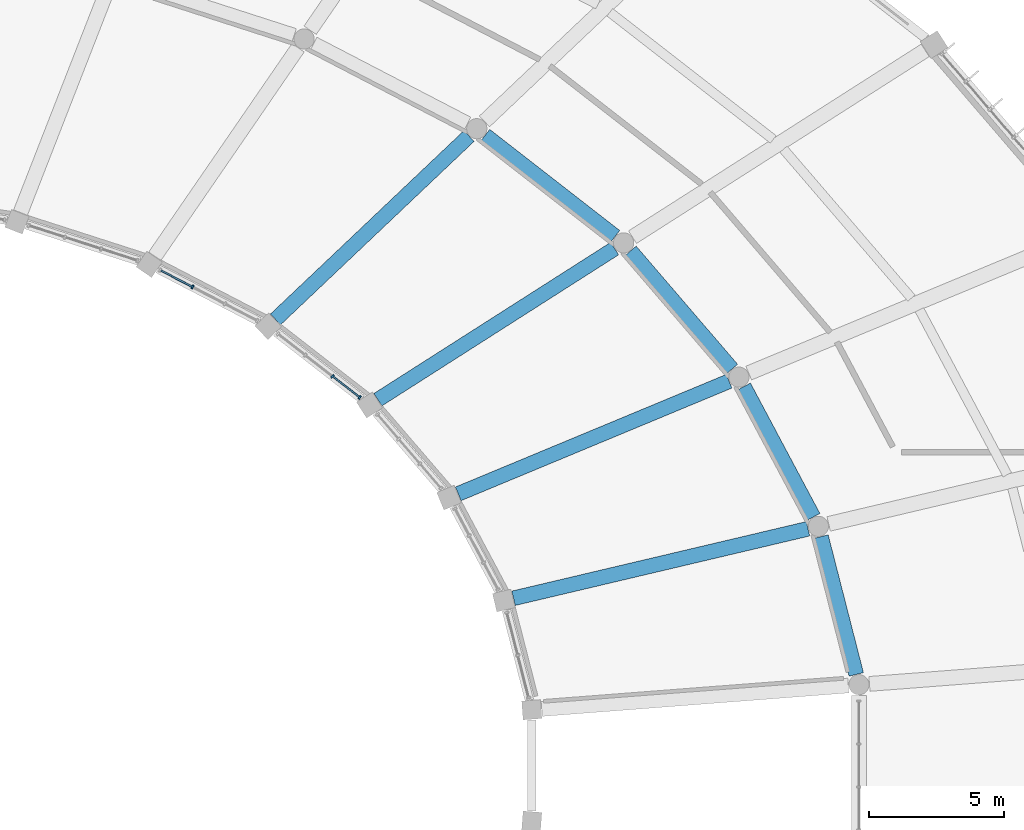
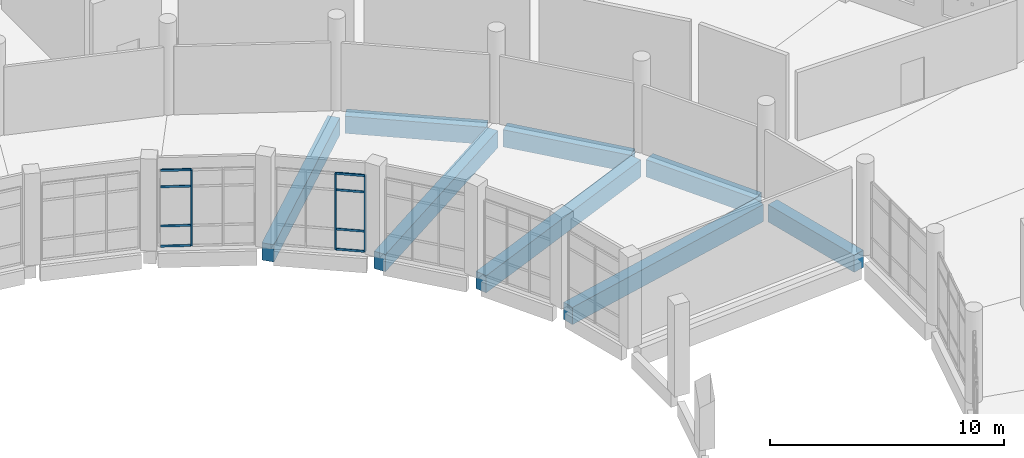
# One storey, part 44 of 179: 11 members, 8 beams, 2 elements without a shape of their own.
"""IFC4 building model written with IfcOpenShell, lengths in metres."""

from ifc_helpers import new_model, si_unit, direction, frame, origin, origin_2d, place, context, subcontext, project, spatial, rectangle, extrude, material, layer, layer_set, material_profile, profile_set, type_object, element, aggregate, save


model = new_model("IFC4")

# Units and contexts
model_context = context("Model", 3, precision=1e-05, world=origin(), true_north=direction((0.0, 1.0)))
body_context = subcontext(model_context, "Body", "Model", "MODEL_VIEW")
ifc_project = project(units=[si_unit("LENGTHUNIT", "METRE"), si_unit("AREAUNIT", "SQUARE_METRE"), si_unit("VOLUMEUNIT", "CUBIC_METRE"), si_unit("PLANEANGLEUNIT", "RADIAN"), si_unit("MASSUNIT", "GRAM", prefix="KILO")], contexts=[model_context])

# Site, building, storey
site_placement = place(None, origin())
site = spatial("IfcSite", under=ifc_project, at=site_placement, CompositionType="ELEMENT")
building_placement = place(site_placement, origin())
building = spatial("IfcBuilding", under=site, at=building_placement, Name="Corvandel Quay Wholesale Market", CompositionType="ELEMENT")
storey_placement = place(building_placement, frame((0.0, 0.0, 6.0)))
storey = spatial("IfcBuildingStorey", under=building, at=storey_placement, Name="L01", CompositionType="ELEMENT", Elevation=6.0)

# Curtain wall, members
ifc_material_1 = material(Name="Bronze anodised aluminium and low-E insulated glazing", Category="aluminium")
ifc_layer_1 = layer(ifc_material_1, 0.18603515625)
ifc_layer_set_1 = layer_set([ifc_layer_1], Name="Bronze anodised aluminium and low-E insulated glazing")
curtain_wall_type_1 = type_object("IfcCurtainWallType", Name="Stick Curtain Wall System CW18 H4620", PredefinedType="NOTDEFINED", material=ifc_layer_set_1)
curtain_wall_1_placement = place(storey_placement, origin())
curtain_wall_1 = element("IfcCurtainWall", 1, at=curtain_wall_1_placement, inside=storey, type_object=curtain_wall_type_1, Name="Curtain Wall CW-0010", PredefinedType="NOTDEFINED")
ifc_material_2 = material(Name="Anodised aluminium 6063-T6", Category="aluminium")
ifc_material_profile_1 = material_profile(ifc_material_2, rectangle(XDim=0.06494140625, YDim=0.14990234375, at=origin_2d()), Name="ALU-MUL-65x150")
ifc_profile_set_1 = profile_set([ifc_material_profile_1], Name="Anodised aluminium 6063-T6")
member_type_1 = type_object("IfcMemberType", Name="Curtain Wall Mullion ML02 65x150", PredefinedType="MULLION", material=ifc_profile_set_1)
member_1_placement = place(storey_placement, frame((134.60888671875, 55.66943359375, 0.0), z_axis=(0.0, 0.0, 1.0), x_axis=(-0.789405615633, 0.613871952452, 0.0)))
member_1 = element("IfcMember", 2, at=member_1_placement, type_object=member_type_1, Name="Mullion CW-0010-M00", PredefinedType="MULLION", context=body_context, shape_type="SweptSolid", body=[
    extrude(rectangle(XDim=0.06494140625, YDim=0.14990234375, at=origin_2d()), origin(), (0.0, 0.0, 1.0), 3.949951171875),
])
member_2_placement = place(storey_placement, frame((133.597412109375, 56.4560546875, 0.0), z_axis=(0.0, 0.0, 1.0), x_axis=(-0.789405615633, 0.613871952452, 0.0)))
member_2 = element("IfcMember", 3, at=member_2_placement, type_object=member_type_1, Name="Mullion CW-0010-M01", PredefinedType="MULLION", context=body_context, shape_type="SweptSolid", body=[
    extrude(rectangle(XDim=0.06494140625, YDim=0.14990234375, at=origin_2d()), origin(), (0.0, 0.0, 1.0), 3.949951171875),
])

# Curtain wall, member
ifc_layer_2 = layer(ifc_material_1, 0.197998046875)
ifc_layer_set_2 = layer_set([ifc_layer_2], Name="Bronze anodised aluminium and low-E insulated glazing")
curtain_wall_type_2 = type_object("IfcCurtainWallType", Name="Stick Curtain Wall System CW19 H4710", PredefinedType="NOTDEFINED", material=ifc_layer_set_2)
curtain_wall_2_placement = place(storey_placement, origin())
curtain_wall_2 = element("IfcCurtainWall", 4, at=curtain_wall_2_placement, inside=storey, type_object=curtain_wall_type_2, Name="Curtain Wall CW-0014", PredefinedType="NOTDEFINED")
member_3_placement = place(storey_placement, frame((128.399169921875, 59.773193359375, 0.0), z_axis=(0.0, 0.0, 1.0), x_axis=(-0.887332978338, 0.461129250378, 0.0)))
member_3 = element("IfcMember", 5, at=member_3_placement, type_object=member_type_1, Name="Mullion CW-0014-M02", PredefinedType="MULLION", context=body_context, shape_type="SweptSolid", body=[
    extrude(rectangle(XDim=0.06494140625, YDim=0.14990234375, at=origin_2d()), origin(), (0.0, 0.0, 1.0), 3.949951171875),
])

# Member
ifc_material_profile_2 = material_profile(ifc_material_2, rectangle(XDim=0.06005859375, YDim=0.110107421875, at=origin_2d()), Name="ALU-TRN-60x110")
ifc_profile_set_2 = profile_set([ifc_material_profile_2], Name="Anodised aluminium 6063-T6")
member_type_2 = type_object("IfcMemberType", Name="Curtain Wall Transom TR02 60x110", PredefinedType="USERDEFINED", material=ifc_profile_set_2)
member_4_placement = place(storey_placement, frame((134.583251953125, 55.689453125, 0.0), z_axis=(-0.789352217376, 0.613940613515, 0.0), x_axis=(-0.613940613515, -0.789352217376, 0.0)))
member_4 = element("IfcMember", 6, at=member_4_placement, type_object=member_type_2, Name="Transom CW-0010-T00-0", ObjectType="TRANSOM", PredefinedType="USERDEFINED", context=body_context, shape_type="SweptSolid", body=[
    extrude(rectangle(XDim=0.06005859375, YDim=0.110107421875, at=origin_2d()), origin(), (0.0, 0.0, 1.0), 1.216552734375),
])

member_5_placement = place(storey_placement, frame((134.583251953125, 55.689453125, 1.050048828125), z_axis=(-0.789352217376, 0.613940613515, 0.0), x_axis=(-0.613940613515, -0.789352217376, 0.0)))
member_5 = element("IfcMember", 7, at=member_5_placement, type_object=member_type_2, Name="Transom CW-0010-T00-1", ObjectType="TRANSOM", PredefinedType="USERDEFINED", context=body_context, shape_type="SweptSolid", body=[
    extrude(rectangle(XDim=0.06005859375, YDim=0.110107421875, at=origin_2d()), origin(), (0.0, 0.0, 1.0), 1.216552734375),
])

member_6_placement = place(storey_placement, frame((134.583251953125, 55.689453125, 3.10009765625), z_axis=(-0.789352217376, 0.613940613515, 0.0), x_axis=(-0.613940613515, -0.789352217376, 0.0)))
member_6 = element("IfcMember", 8, at=member_6_placement, type_object=member_type_2, Name="Transom CW-0010-T00-2", ObjectType="TRANSOM", PredefinedType="USERDEFINED", context=body_context, shape_type="SweptSolid", body=[
    extrude(rectangle(XDim=0.06005859375, YDim=0.110107421875, at=origin_2d()), origin(), (0.0, 0.0, 1.0), 1.216552734375),
])

member_7_placement = place(storey_placement, frame((134.583251953125, 55.689453125, 3.949951171875), z_axis=(-0.789352217376, 0.613940613515, 0.0), x_axis=(-0.613940613515, -0.789352217376, 0.0)))
member_7 = element("IfcMember", 9, at=member_7_placement, type_object=member_type_2, Name="Transom CW-0010-T00-3", ObjectType="TRANSOM", PredefinedType="USERDEFINED", context=body_context, shape_type="SweptSolid", body=[
    extrude(rectangle(XDim=0.06005859375, YDim=0.110107421875, at=origin_2d()), origin(), (0.0, 0.0, 1.0), 1.216552734375),
])

aggregate(curtain_wall_1, [member_1, member_2, member_4, member_5, member_6, member_7])

member_8_placement = place(storey_placement, frame((128.3701171875, 59.788330078125, 0.0), z_axis=(-0.887350080726, 0.46109633943, 0.0), x_axis=(-0.46109633943, -0.887350080726, 0.0)))
member_8 = element("IfcMember", 10, at=member_8_placement, type_object=member_type_2, Name="Transom CW-0014-T02-0", ObjectType="TRANSOM", PredefinedType="USERDEFINED", context=body_context, shape_type="SweptSolid", body=[
    extrude(rectangle(XDim=0.06005859375, YDim=0.110107421875, at=origin_2d()), origin(), (0.0, 0.0, 1.0), 1.289306640625),
])

member_9_placement = place(storey_placement, frame((128.3701171875, 59.788330078125, 1.050048828125), z_axis=(-0.887350080726, 0.46109633943, 0.0), x_axis=(-0.46109633943, -0.887350080726, 0.0)))
member_9 = element("IfcMember", 11, at=member_9_placement, type_object=member_type_2, Name="Transom CW-0014-T02-1", ObjectType="TRANSOM", PredefinedType="USERDEFINED", context=body_context, shape_type="SweptSolid", body=[
    extrude(rectangle(XDim=0.06005859375, YDim=0.110107421875, at=origin_2d()), origin(), (0.0, 0.0, 1.0), 1.289306640625),
])

member_10_placement = place(storey_placement, frame((128.3701171875, 59.788330078125, 3.10009765625), z_axis=(-0.887350080726, 0.46109633943, 0.0), x_axis=(-0.46109633943, -0.887350080726, 0.0)))
member_10 = element("IfcMember", 12, at=member_10_placement, type_object=member_type_2, Name="Transom CW-0014-T02-2", ObjectType="TRANSOM", PredefinedType="USERDEFINED", context=body_context, shape_type="SweptSolid", body=[
    extrude(rectangle(XDim=0.06005859375, YDim=0.110107421875, at=origin_2d()), origin(), (0.0, 0.0, 1.0), 1.289306640625),
])

member_11_placement = place(storey_placement, frame((128.3701171875, 59.788330078125, 3.949951171875), z_axis=(-0.887350080726, 0.46109633943, 0.0), x_axis=(-0.46109633943, -0.887350080726, 0.0)))
member_11 = element("IfcMember", 13, at=member_11_placement, type_object=member_type_2, Name="Transom CW-0014-T02-3", ObjectType="TRANSOM", PredefinedType="USERDEFINED", context=body_context, shape_type="SweptSolid", body=[
    extrude(rectangle(XDim=0.06005859375, YDim=0.110107421875, at=origin_2d()), origin(), (0.0, 0.0, 1.0), 1.289306640625),
])

aggregate(curtain_wall_2, [member_3, member_8, member_9, member_10, member_11])

# Beams
ifc_material_3 = material(Name="Precast concrete C45/55", Category="concrete")
ifc_material_profile_3 = material_profile(ifc_material_3, rectangle(XDim=0.550048828125, YDim=0.89990234375, at=origin_2d()), Name="PC-GIR-550x900")
ifc_profile_set_3 = profile_set([ifc_material_profile_3], Name="Precast concrete C45/55")
beam_type = type_object("IfcBeamType", Name="Produce Hall Radial Girder G03 550x900", PredefinedType="USERDEFINED", material=ifc_profile_set_3)
beam_1_placement = place(storey_placement, frame((153.052001953125, 45.381591796875, -0.75), z_axis=(-0.247817109088, 0.9688068334, 0.0), x_axis=(-0.9688068334, -0.247817109088, 0.0)))
element("IfcBeam", 14, at=beam_1_placement, inside=storey, type_object=beam_type, Name="Beam BM-0002", ObjectType="GIRDER", PredefinedType="USERDEFINED", context=body_context, shape_type="SweptSolid", body=[
    extrude(rectangle(XDim=0.550048828125, YDim=0.89990234375, at=origin_2d()), origin(), (0.0, 0.0, 1.0), 5.282470703125),
])
beam_2_placement = place(storey_placement, frame((151.459228515625, 51.230712890625, -0.75), z_axis=(-0.470057068479, 0.882636024856, 0.0), x_axis=(-0.882636024856, -0.470057068479, 0.0)))
element("IfcBeam", 15, at=beam_2_placement, inside=storey, type_object=beam_type, Name="Beam BM-0015", ObjectType="GIRDER", PredefinedType="USERDEFINED", context=body_context, shape_type="SweptSolid", body=[
    extrude(rectangle(XDim=0.550048828125, YDim=0.89990234375, at=origin_2d()), origin(), (0.0, 0.0, 1.0), 5.48779296875),
])
beam_3_placement = place(storey_placement, frame((151.260498046875, 50.791259765625, -0.72998046875), z_axis=(-0.97326739411, -0.229674943262, 0.0), x_axis=(0.229674943262, -0.97326739411, 0.0)))
element("IfcBeam", 16, at=beam_3_placement, inside=storey, type_object=beam_type, Name="Beam BM-0019", ObjectType="GIRDER", PredefinedType="USERDEFINED", context=body_context, shape_type="SweptSolid", body=[
    extrude(rectangle(XDim=0.550048828125, YDim=0.89990234375, at=origin_2d()), origin(), (0.0, 0.0, 1.0), 11.239013671875),
])
beam_4_placement = place(storey_placement, frame((148.4365234375, 56.72265625, -0.75), z_axis=(-0.651520926354, 0.758630662789, 0.0), x_axis=(-0.758630662789, -0.651520926354, 0.0)))
element("IfcBeam", 17, at=beam_4_placement, inside=storey, type_object=beam_type, Name="Beam BM-0028", ObjectType="GIRDER", PredefinedType="USERDEFINED", context=body_context, shape_type="SweptSolid", body=[
    extrude(rectangle(XDim=0.550048828125, YDim=0.89990234375, at=origin_2d()), origin(), (0.0, 0.0, 1.0), 5.784912109375),
])
beam_5_placement = place(storey_placement, frame((148.329345703125, 56.271484375, -0.72998046875), z_axis=(-0.923386886685, -0.38387062599, 0.0), x_axis=(0.38387062599, -0.923386886685, 0.0)))
element("IfcBeam", 18, at=beam_5_placement, inside=storey, type_object=beam_type, Name="Beam BM-0032", ObjectType="GIRDER", PredefinedType="USERDEFINED", context=body_context, shape_type="SweptSolid", body=[
    extrude(rectangle(XDim=0.550048828125, YDim=0.89990234375, at=origin_2d()), origin(), (0.0, 0.0, 1.0), 10.895263671875),
])
beam_6_placement = place(storey_placement, frame((144.09814453125, 61.653564453125, -0.75), z_axis=(-0.78937585328, 0.613910223288, 0.0), x_axis=(-0.613910223288, -0.78937585328, 0.0)))
element("IfcBeam", 19, at=beam_6_placement, inside=storey, type_object=beam_type, Name="Beam BM-0041", ObjectType="GIRDER", PredefinedType="USERDEFINED", context=body_context, shape_type="SweptSolid", body=[
    extrude(rectangle(XDim=0.550048828125, YDim=0.89990234375, at=origin_2d()), origin(), (0.0, 0.0, 1.0), 6.117919921875),
])
beam_7_placement = place(storey_placement, frame((144.076904296875, 61.198486328125, -0.72998046875), z_axis=(-0.842932146321, -0.538019885041, 0.0), x_axis=(0.538019885041, -0.842932146321, 0.0)))
element("IfcBeam", 20, at=beam_7_placement, inside=storey, type_object=beam_type, Name="Beam BM-0045", ObjectType="GIRDER", PredefinedType="USERDEFINED", context=body_context, shape_type="SweptSolid", body=[
    extrude(rectangle(XDim=0.550048828125, YDim=0.89990234375, at=origin_2d()), origin(), (0.0, 0.0, 1.0), 10.431396484375),
])
beam_8_placement = place(storey_placement, frame((138.67041015625, 65.38037109375, -0.72998046875), z_axis=(-0.725876263785, -0.687825304619, 0.0), x_axis=(0.687825304619, -0.725876263785, 0.0)))
element("IfcBeam", 21, at=beam_8_placement, inside=storey, type_object=beam_type, Name="Beam BM-0058", ObjectType="GIRDER", PredefinedType="USERDEFINED", context=body_context, shape_type="SweptSolid", body=[
    extrude(rectangle(XDim=0.550048828125, YDim=0.89990234375, at=origin_2d()), origin(), (0.0, 0.0, 1.0), 9.906494140625),
])

save(model, "model.ifc")
